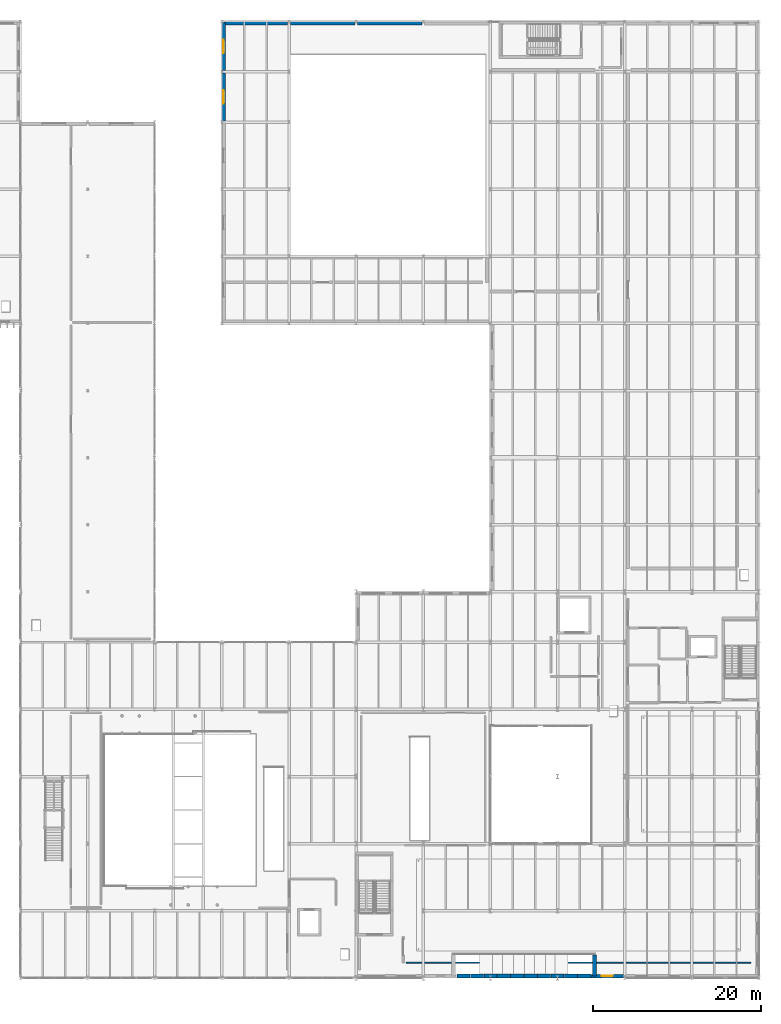
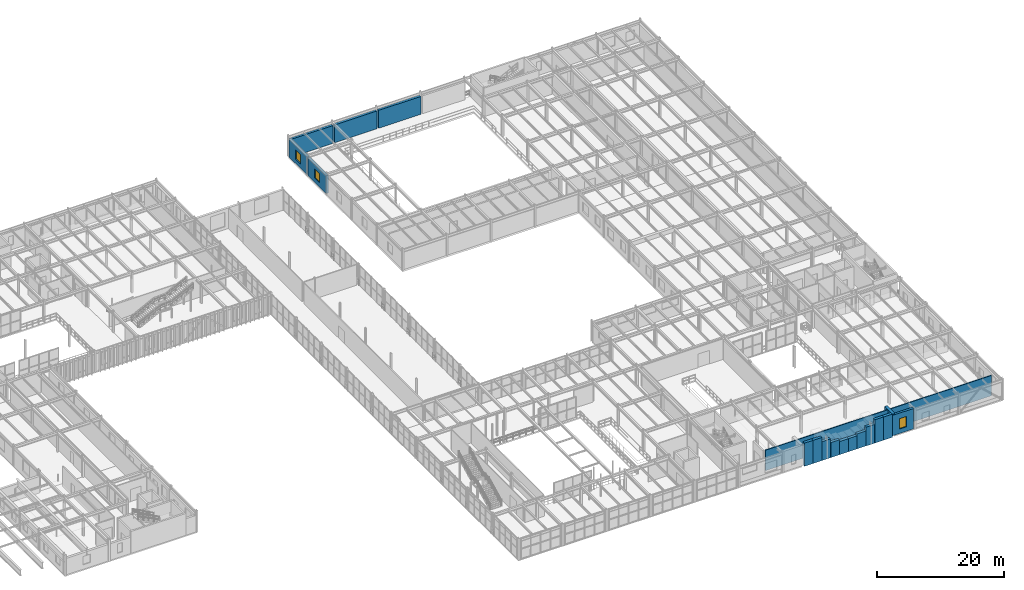
# One storey, part 88 of 122: 18 walls, 3 windows, 3 openings.
"""IFC4 building model written with IfcOpenShell, lengths in metres."""

from ifc_helpers import new_model, si_unit, direction, frame, frame_2d, origin, place, context, subcontext, project, spatial, rectangle, extrude, material, layer, layer_set, type_object, element, fill, save


model = new_model("IFC4")

# Units and contexts
model_context = context("Model", 3, precision=1e-05, world=origin(), true_north=direction((0.0, 1.0)))
body_context = subcontext(model_context, "Body", "Model", "MODEL_VIEW")
ifc_project = project(units=[si_unit("LENGTHUNIT", "METRE"), si_unit("AREAUNIT", "SQUARE_METRE"), si_unit("VOLUMEUNIT", "CUBIC_METRE"), si_unit("PLANEANGLEUNIT", "RADIAN"), si_unit("MASSUNIT", "GRAM", prefix="KILO")], contexts=[model_context])

# Site, building, storey
site_placement = place(None, origin())
site = spatial("IfcSite", under=ifc_project, at=site_placement, CompositionType="ELEMENT")
building_placement = place(site_placement, origin())
building = spatial("IfcBuilding", under=site, at=building_placement, Name="Sundkrona Museum", CompositionType="ELEMENT")
storey_placement = place(building_placement, frame((0.0, 0.0, 5.39990234375)))
storey = spatial("IfcBuildingStorey", under=building, at=storey_placement, Name="L01", CompositionType="ELEMENT", Elevation=5.39990234375)

# Wall, opening, window
ifc_material_1 = material(Name="Scanian Polychrome Clay Brickwork 420 mm", Category="masonry")
ifc_layer_1 = layer(ifc_material_1, 0.419921875)
ifc_layer_set_1 = layer_set([ifc_layer_1], Name="Scanian Polychrome Clay Brickwork 420 mm")
wall_type_1 = type_object("IfcWallType", Name="W-EX-420", PredefinedType="SOLIDWALL", material=ifc_layer_set_1)
wall_1_placement = place(storey_placement, frame((151.847900390625, 0.2099609375, 0.0), z_axis=(0.0, 0.0, 1.0), x_axis=(-1.0, 0.0, 0.0)))
wall_1 = element("IfcWall", 1, at=wall_1_placement, inside=storey, type_object=wall_type_1, Name="L01 Facade Wall 0016", PredefinedType="SOLIDWALL", context=body_context, shape_type="SweptSolid", body=[
    extrude(rectangle(XDim=3.837890625, YDim=0.419921875, at=frame_2d((1.9189453125, 0.0))), origin(), (0.0, 0.0, 1.0), 3.920166015625),
])
opening_1_placement = place(wall_1_placement, frame((1.243896484375, 0.0, 0.85009765625)))
opening_1 = element("IfcOpeningElement", 2, at=opening_1_placement, cuts=wall_1, Name="Opening WN-OC-135x200", PredefinedType="OPENING", context=body_context, shape_type="SweptSolid", body=[
    extrude(rectangle(XDim=1.35009765625, YDim=2.0, at=frame_2d((0.675048828125, 1.0))), frame((0.0, 0.219970703125, 0.0), z_axis=(0.0, -1.0, 0.0), x_axis=(1.0, 0.0, 0.0)), (0.0, 0.0, 1.0), 0.43994140625),
])
ifc_material_2 = material(Name="Triple Low-E Argon Glazing in Bronze-Anodised Aluminium", Category="aluminium")
window_type_1 = type_object("IfcWindowType", Name="WN-OC-135x200", PartitioningType="SINGLE_PANEL", PredefinedType="WINDOW", material=ifc_material_2)
window_1_placement = place(opening_1_placement, origin())
window_1 = element("IfcWindow", 3, at=window_1_placement, inside=storey, type_object=window_type_1, Name="L01 Oculus cheek-reveal side window 1350x2000 WIN-L01-0018", OverallHeight=2.0, OverallWidth=1.35009765625, PartitioningType="SINGLE_PANEL", PredefinedType="WINDOW", context=body_context, shape_type="SweptSolid", body=[
    extrude(rectangle(XDim=1.35009765625, YDim=2.0, at=frame_2d((0.675048828125, 1.0))), frame((0.0, 0.030029296875, 0.0), z_axis=(0.0, -1.0, 0.0), x_axis=(1.0, 0.0, 0.0)), (0.0, 0.0, 1.0), 0.06005859375),
])
fill(opening_1, window_1)

wall_2_placement = place(storey_placement, frame((104.2099609375, 102.14208984375, 0.0), z_axis=(0.0, 0.0, 1.0), x_axis=(0.0, 1.0, 0.0)))
wall_2 = element("IfcWall", 4, at=wall_2_placement, inside=storey, type_object=wall_type_1, Name="L01 Facade Wall 0281", PredefinedType="SOLIDWALL", context=body_context, shape_type="SweptSolid", body=[
    extrude(rectangle(XDim=5.7158203125, YDim=0.419921875, at=frame_2d((2.85791015625, 0.0))), origin(), (0.0, 0.0, 1.0), 3.43505859375),
])
opening_2_placement = place(wall_2_placement, frame((2.05810546875, 0.0, 0.85009765625)))
opening_2 = element("IfcOpeningElement", 5, at=opening_2_placement, cuts=wall_2, Name="Opening WN-LB-160x180", PredefinedType="OPENING", context=body_context, shape_type="SweptSolid", body=[
    extrude(rectangle(XDim=1.60009765625, YDim=1.800048828125, at=frame_2d((0.800048828125, 0.89990234375))), frame((0.0, 0.219970703125, 0.0), z_axis=(0.0, -1.0, 0.0), x_axis=(1.0, 0.0, 0.0)), (0.0, 0.0, 1.0), 0.43994140625),
])
window_type_2 = type_object("IfcWindowType", Name="WN-LB-160x180", PartitioningType="DOUBLE_PANEL_VERTICAL", PredefinedType="WINDOW", material=ifc_material_2)
window_2_placement = place(opening_2_placement, origin())
window_2 = element("IfcWindow", 6, at=window_2_placement, inside=storey, type_object=window_type_2, Name="L01 Conservation laboratory deep-reveal window 1600x1800 WIN-L01-0386", OverallHeight=1.800048828125, OverallWidth=1.60009765625, PartitioningType="DOUBLE_PANEL_VERTICAL", PredefinedType="WINDOW", context=body_context, shape_type="SweptSolid", body=[
    extrude(rectangle(XDim=1.60009765625, YDim=1.800048828125, at=frame_2d((0.800048828125, 0.89990234375))), frame((0.0, 0.030029296875, 0.0), z_axis=(0.0, -1.0, 0.0), x_axis=(1.0, 0.0, 0.0)), (0.0, 0.0, 1.0), 0.06005859375),
])
fill(opening_2, window_2)

wall_3_placement = place(storey_placement, frame((104.2099609375, 108.14208984375, 0.0), z_axis=(0.0, 0.0, 1.0), x_axis=(0.0, 1.0, 0.0)))
wall_3 = element("IfcWall", 7, at=wall_3_placement, inside=storey, type_object=wall_type_1, Name="L01 Facade Wall 0282", PredefinedType="SOLIDWALL", context=body_context, shape_type="SweptSolid", body=[
    extrude(rectangle(XDim=5.7158203125, YDim=0.419921875, at=frame_2d((2.85791015625, 0.0))), origin(), (0.0, 0.0, 1.0), 3.43505859375),
])
opening_3_placement = place(wall_3_placement, frame((2.05810546875, 0.0, 0.85009765625)))
opening_3 = element("IfcOpeningElement", 8, at=opening_3_placement, cuts=wall_3, Name="Opening WN-LB-160x180", PredefinedType="OPENING", context=body_context, shape_type="SweptSolid", body=[
    extrude(rectangle(XDim=1.60009765625, YDim=1.800048828125, at=frame_2d((0.800048828125, 0.89990234375))), frame((0.0, 0.219970703125, 0.0), z_axis=(0.0, -1.0, 0.0), x_axis=(1.0, 0.0, 0.0)), (0.0, 0.0, 1.0), 0.43994140625),
])
window_3_placement = place(opening_3_placement, origin())
window_3 = element("IfcWindow", 9, at=window_3_placement, inside=storey, type_object=window_type_2, Name="L01 Conservation laboratory deep-reveal window 1600x1800 WIN-L01-0387", OverallHeight=1.800048828125, OverallWidth=1.60009765625, PartitioningType="DOUBLE_PANEL_VERTICAL", PredefinedType="WINDOW", context=body_context, shape_type="SweptSolid", body=[
    extrude(rectangle(XDim=1.60009765625, YDim=1.800048828125, at=frame_2d((0.800048828125, 0.89990234375))), frame((0.0, 0.030029296875, 0.0), z_axis=(0.0, -1.0, 0.0), x_axis=(1.0, 0.0, 0.0)), (0.0, 0.0, 1.0), 0.06005859375),
])
fill(opening_3, window_3)

# Walls
wall_4_placement = place(storey_placement, frame((104.14208984375, 113.7900390625, 0.0), z_axis=(0.0, 0.0, 1.0), x_axis=(1.0, 0.0, 0.0)))
element("IfcWall", 10, at=wall_4_placement, inside=storey, type_object=wall_type_1, Name="L01 Facade Wall 0340", PredefinedType="SOLIDWALL", context=body_context, shape_type="SweptSolid", body=[
    extrude(rectangle(XDim=7.705810546875, YDim=0.419921875, at=frame_2d((3.85302734375, 0.0))), origin(), (0.0, 0.0, 1.0), 3.43505859375),
])
for number, where, z_axis, x_axis, name in (
    (11, (112.152099609375, 113.7900390625, 0.0), (0.0, 0.0, 1.0), (1.0, 0.0, 0.0), "L01 Facade Wall 0341"),
    (12, (120.152099609375, 113.7900390625, 0.0), (0.0, 0.0, 1.0), (1.0, 0.0, 0.0), "L01 Facade Wall 0342"),
):
    element("IfcWall", number, at=place(storey_placement, frame(where, z_axis=z_axis, x_axis=x_axis)), inside=storey, type_object=wall_type_1, Name=name, PredefinedType="SOLIDWALL", context=body_context, shape_type="SweptSolid", body=[
        extrude(rectangle(XDim=7.69580078125, YDim=0.419921875, at=frame_2d((3.847900390625, 0.0))), origin(), (0.0, 0.0, 1.0), 3.43505859375),
    ])
ifc_material_3 = material(Name="Danian Limestone Ashlar Masonry 480 mm", Category="masonry")
ifc_layer_2 = layer(ifc_material_3, 0.47998046875)
ifc_layer_set_2 = layer_set([ifc_layer_2], Name="Danian Limestone Ashlar Masonry 480 mm")
wall_type_2 = type_object("IfcWallType", Name="W-LIM-480", PredefinedType="SOLIDWALL", material=ifc_layer_set_2)
wall_5_placement = place(storey_placement, frame((133.590087890625, 0.239990234375, -0.260009765625), z_axis=(0.0, 0.0, 1.0), x_axis=(-1.0, 0.0, 0.0)))
element("IfcWall", 13, at=wall_5_placement, inside=storey, type_object=wall_type_2, Name="South Cube Oculus Lower Spandrel Pier 01", PredefinedType="SOLIDWALL", context=body_context, shape_type="SweptSolid", body=[
    extrude(rectangle(XDim=1.580078125, YDim=0.47998046875, at=frame_2d((0.7900390625, 0.0))), origin(), (0.0, 0.0, 1.0), 4.460205078125),
])
wall_6_placement = place(storey_placement, frame((135.18994140625, 0.239990234375, -0.260009765625), z_axis=(0.0, 0.0, 1.0), x_axis=(-1.0, 0.0, 0.0)))
element("IfcWall", 14, at=wall_6_placement, inside=storey, type_object=wall_type_2, Name="South Cube Oculus Lower Spandrel Pier 02", PredefinedType="SOLIDWALL", context=body_context, shape_type="SweptSolid", body=[
    extrude(rectangle(XDim=1.579833984375, YDim=0.47998046875, at=frame_2d((0.7900390625, 0.0))), origin(), (0.0, 0.0, 1.0), 4.460205078125),
])
wall_7_placement = place(storey_placement, frame((136.7900390625, 0.239990234375, -0.260009765625), z_axis=(0.0, 0.0, 1.0), x_axis=(-1.0, 0.0, 0.0)))
element("IfcWall", 15, at=wall_7_placement, inside=storey, type_object=wall_type_2, Name="South Cube Oculus Lower Spandrel Pier 03", PredefinedType="SOLIDWALL", context=body_context, shape_type="SweptSolid", body=[
    extrude(rectangle(XDim=1.580078125, YDim=0.47998046875, at=frame_2d((0.7900390625, 0.0))), origin(), (0.0, 0.0, 1.0), 3.606201171875),
])
wall_8_placement = place(storey_placement, frame((138.389892578125, 0.239990234375, -0.260009765625), z_axis=(0.0, 0.0, 1.0), x_axis=(-1.0, 0.0, 0.0)))
element("IfcWall", 16, at=wall_8_placement, inside=storey, type_object=wall_type_2, Name="South Cube Oculus Lower Spandrel Pier 04", PredefinedType="SOLIDWALL", context=body_context, shape_type="SweptSolid", body=[
    extrude(rectangle(XDim=1.579833984375, YDim=0.47998046875, at=frame_2d((0.7900390625, 0.0))), origin(), (0.0, 0.0, 1.0), 2.885986328125),
])
for number, where, z_axis, x_axis, name in (
    (17, (139.989990234375, 0.239990234375, -0.260009765625), (0.0, 0.0, 1.0), (-1.0, 0.0, 0.0), "South Cube Oculus Lower Spandrel Pier 05"),
    (18, (141.590087890625, 0.239990234375, -0.260009765625), (0.0, 0.0, 1.0), (-1.0, 0.0, 0.0), "South Cube Oculus Lower Spandrel Pier 06"),
):
    element("IfcWall", number, at=place(storey_placement, frame(where, z_axis=z_axis, x_axis=x_axis)), inside=storey, type_object=wall_type_2, Name=name, PredefinedType="SOLIDWALL", context=body_context, shape_type="SweptSolid", body=[
        extrude(rectangle(XDim=1.580078125, YDim=0.47998046875, at=frame_2d((0.7900390625, 0.0))), origin(), (0.0, 0.0, 1.0), 2.551025390625),
    ])
wall_9_placement = place(storey_placement, frame((143.18994140625, 0.239990234375, -0.260009765625), z_axis=(0.0, 0.0, 1.0), x_axis=(-1.0, 0.0, 0.0)))
element("IfcWall", 19, at=wall_9_placement, inside=storey, type_object=wall_type_2, Name="South Cube Oculus Lower Spandrel Pier 07", PredefinedType="SOLIDWALL", context=body_context, shape_type="SweptSolid", body=[
    extrude(rectangle(XDim=1.579833984375, YDim=0.47998046875, at=frame_2d((0.7900390625, 0.0))), origin(), (0.0, 0.0, 1.0), 2.885986328125),
])
wall_10_placement = place(storey_placement, frame((144.7900390625, 0.239990234375, -0.260009765625), z_axis=(0.0, 0.0, 1.0), x_axis=(-1.0, 0.0, 0.0)))
element("IfcWall", 20, at=wall_10_placement, inside=storey, type_object=wall_type_2, Name="South Cube Oculus Lower Spandrel Pier 08", PredefinedType="SOLIDWALL", context=body_context, shape_type="SweptSolid", body=[
    extrude(rectangle(XDim=1.580078125, YDim=0.47998046875, at=frame_2d((0.7900390625, 0.0))), origin(), (0.0, 0.0, 1.0), 3.606201171875),
])
wall_11_placement = place(storey_placement, frame((146.389892578125, 0.239990234375, -0.260009765625), z_axis=(0.0, 0.0, 1.0), x_axis=(-1.0, 0.0, 0.0)))
element("IfcWall", 21, at=wall_11_placement, inside=storey, type_object=wall_type_2, Name="South Cube Oculus Lower Spandrel Pier 09", PredefinedType="SOLIDWALL", context=body_context, shape_type="SweptSolid", body=[
    extrude(rectangle(XDim=1.579833984375, YDim=0.47998046875, at=frame_2d((0.7900390625, 0.0))), origin(), (0.0, 0.0, 1.0), 4.460205078125),
])
wall_12_placement = place(storey_placement, frame((147.989990234375, 0.239990234375, -0.260009765625), z_axis=(0.0, 0.0, 1.0), x_axis=(-1.0, 0.0, 0.0)))
element("IfcWall", 22, at=wall_12_placement, inside=storey, type_object=wall_type_2, Name="South Cube Oculus Lower Spandrel Pier 10", PredefinedType="SOLIDWALL", context=body_context, shape_type="SweptSolid", body=[
    extrude(rectangle(XDim=1.580078125, YDim=0.47998046875, at=frame_2d((0.7900390625, 0.0))), origin(), (0.0, 0.0, 1.0), 4.460205078125),
])
wall_13_placement = place(storey_placement, frame((148.39990234375, 0.239990234375, 0.0), z_axis=(0.0, 0.0, 1.0), x_axis=(0.0, 1.0, 0.0)))
element("IfcWall", 23, at=wall_13_placement, inside=storey, type_object=wall_type_2, Name="L01 Oculus Deep Reveal East Wall", PredefinedType="SOLIDWALL", context=body_context, shape_type="SweptSolid", body=[
    extrude(rectangle(XDim=2.510009765625, YDim=0.47998046875, at=frame_2d((1.2548828125, 0.0))), origin(), (0.0, 0.0, 1.0), 3.960205078125),
])
ifc_material_4 = material(Name="Acoustic Gypsum Partition Board 150 mm", Category="other")
ifc_layer_3 = layer(ifc_material_4, 0.14990234375)
ifc_layer_set_3 = layer_set([ifc_layer_3], Name="Acoustic Gypsum Partition Board 150 mm")
wall_type_3 = type_object("IfcWallType", Name="W-PT-150", PredefinedType="PARTITIONING", material=ifc_layer_set_3)
wall_14_placement = place(storey_placement, frame((125.949951171875, 1.800048828125, 0.0), z_axis=(0.0, 0.0, 1.0), x_axis=(1.0, 0.0, 0.0)))
element("IfcWall", 24, at=wall_14_placement, inside=storey, type_object=wall_type_3, Name="L01 Mineralogy and Geology Cabinet Enclosure Wall S", PredefinedType="PARTITIONING", context=body_context, shape_type="SweptSolid", body=[
    extrude(rectangle(XDim=41.10009765625, YDim=0.14990234375, at=frame_2d((20.550048828125, 0.0))), origin(), (0.0, 0.0, 1.0), 3.920166015625),
])

save(model, "model.ifc")
